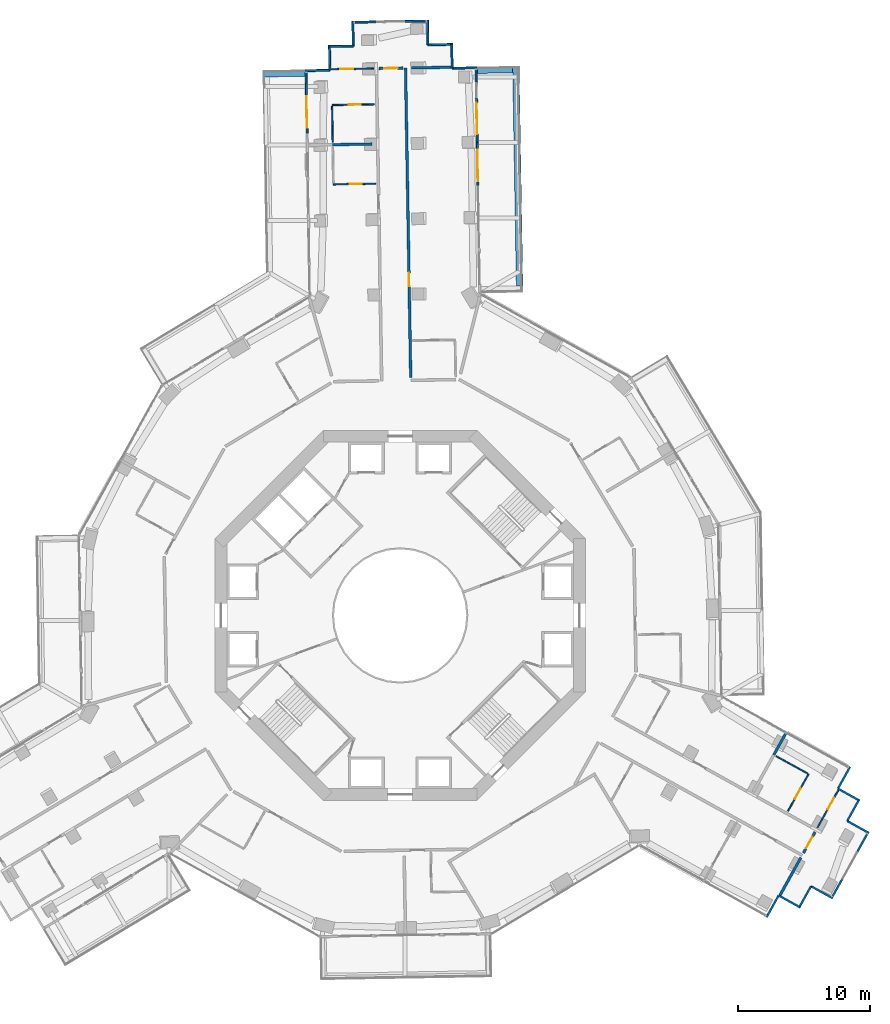
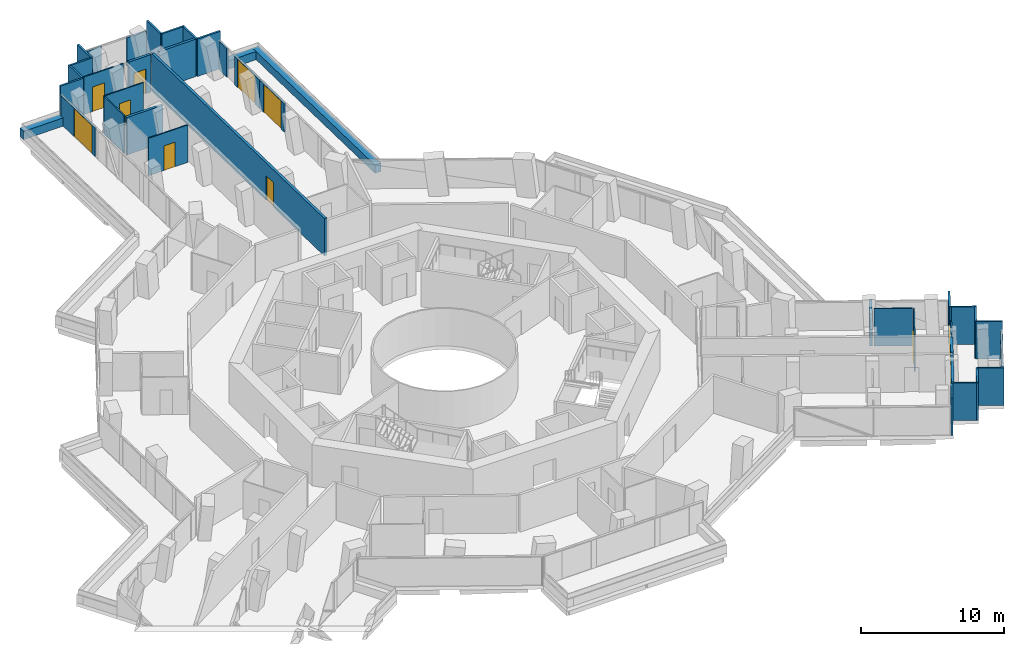
# One storey, part 22 of 25: 41 walls, 11 doors, 11 openings.
"""IFC4 building model written with IfcOpenShell, lengths in metres."""

from ifc_helpers import new_model, si_unit, direction, frame, frame_2d, origin, place, context, subcontext, project, spatial, rectangle, extrude, material, layer, layer_set, type_object, element, fill, save


model = new_model("IFC4")

# Units and contexts
model_context = context("Model", 3, precision=1e-05, world=origin(), true_north=direction((0.0, 1.0)))
body_context = subcontext(model_context, "Body", "Model", "MODEL_VIEW")
ifc_project = project(units=[si_unit("LENGTHUNIT", "METRE"), si_unit("AREAUNIT", "SQUARE_METRE"), si_unit("VOLUMEUNIT", "CUBIC_METRE"), si_unit("PLANEANGLEUNIT", "RADIAN"), si_unit("MASSUNIT", "GRAM", prefix="KILO")], contexts=[model_context])

# Site, building, storey
site_placement = place(None, origin())
site = spatial("IfcSite", under=ifc_project, at=site_placement, CompositionType="ELEMENT")
building_placement = place(site_placement, origin())
building = spatial("IfcBuilding", under=site, at=building_placement, Name="Verdalira Terraces Hotel", CompositionType="ELEMENT")
storey_placement = place(building_placement, frame((0.0, 0.0, 39.0)))
storey = spatial("IfcBuildingStorey", under=building, at=storey_placement, Name="L07", CompositionType="ELEMENT", Elevation=39.0)

# Walls
ifc_material_1 = material(Name="Concrete C40", Category="concrete")
ifc_layer_1 = layer(ifc_material_1, 0.5)
ifc_layer_set_1 = layer_set([ifc_layer_1], Name="Balcony planter trough with tree")
wall_type_1 = type_object("IfcWallType", Name="Balcony planter trough with tree", PredefinedType="SOLIDWALL", material=ifc_layer_set_1)
wall_1_placement = place(storey_placement, frame((-7.189209, 41.010498, 0.0), z_axis=(0.0, 0.0, 1.0), x_axis=(-0.999860312, -0.016713946, 0.0)))
element("IfcWall", 1, at=wall_1_placement, inside=storey, type_object=wall_type_1, Name="Balcony planter", PredefinedType="SOLIDWALL", context=body_context, shape_type="SweptSolid", body=[
    extrude(rectangle(XDim=3.198975, YDim=0.5, at=frame_2d((1.599609, 0.0))), origin(), (0.0, 0.0, 1.0), 0.699951),
])
wall_2_placement = place(storey_placement, frame((9.033936, 24.913086, 0.0), z_axis=(0.0, 0.0, 1.0), x_axis=(-0.016763742, 0.999859479, 0.0)))
element("IfcWall", 2, at=wall_2_placement, inside=storey, type_object=wall_type_1, Name="Balcony planter", PredefinedType="SOLIDWALL", context=body_context, shape_type="SweptSolid", body=[
    extrude(rectangle(XDim=16.617188, YDim=0.5, at=frame_2d((8.308594, 0.0))), origin(), (0.0, 0.0, 1.0), 0.699951),
])
wall_3_placement = place(storey_placement, frame((8.509766, 41.273682, 0.0), z_axis=(0.0, 0.0, 1.0), x_axis=(-0.999859982, -0.01673368, 0.0)))
element("IfcWall", 3, at=wall_3_placement, inside=storey, type_object=wall_type_1, Name="Balcony planter", PredefinedType="SOLIDWALL", context=body_context, shape_type="SweptSolid", body=[
    extrude(rectangle(XDim=2.699219, YDim=0.5, at=frame_2d((1.349609, 0.0))), origin(), (0.0, 0.0, 1.0), 0.699951),
])
ifc_material_2 = material(Name="Moisture-resistant gypsum board partition")
ifc_layer_2 = layer(ifc_material_2, 0.10009765625)
ifc_layer_set_2 = layer_set([ifc_layer_2], Name="Bathroom partition 100 mm")
wall_type_2 = type_object("IfcWallType", Name="Bathroom partition 100 mm", PredefinedType="PARTITIONING", material=ifc_layer_set_2)
wall_4_placement = place(storey_placement, frame((-5.145508, 38.48877, 0.0), z_axis=(0.0, 0.0, 1.0), x_axis=(0.016729141, -0.999860058, 0.0)))
element("IfcWall", 4, at=wall_4_placement, inside=storey, type_object=wall_type_2, Name="Bathroom partition", PredefinedType="PARTITIONING", context=body_context, shape_type="SweptSolid", body=[
    extrude(rectangle(XDim=2.699951, YDim=0.100098, at=frame_2d((1.350098, 0.0))), origin(), (0.0, 0.0, 1.0), 3.189941),
])

# Wall, opening, door
wall_5_placement = place(storey_placement, frame((-1.99292, 41.347656, 0.0), z_axis=(0.0, 0.0, 1.0), x_axis=(-0.999859865, -0.016740652, 0.0)))
wall_5 = element("IfcWall", 5, at=wall_5_placement, inside=storey, type_object=wall_type_2, Name="Bathroom partition", PredefinedType="PARTITIONING", context=body_context, shape_type="SweptSolid", body=[
    extrude(rectangle(XDim=3.252197, YDim=0.100098, at=frame_2d((1.625977, 0.0))), origin(), (0.0, 0.0, 1.0), 3.189941),
])
opening_1_placement = place(wall_5_placement, frame((1.550049, 0.0, 0.0)))
opening_1 = element("IfcOpeningElement", 6, at=opening_1_placement, cuts=wall_5, Name="Opening L07-104", PredefinedType="OPENING", context=body_context, shape_type="SweptSolid", body=[
    extrude(rectangle(XDim=1.0, YDim=2.100098, at=frame_2d((0.5, 1.050049))), frame((0.0, 0.060059, 0.0), z_axis=(0.0, -1.0, 0.0), x_axis=(1.0, 0.0, 0.0)), (0.0, 0.0, 1.0), 0.120117),
])
ifc_material_3 = material(Name="Timber door", Category="wood")
door_type_1 = type_object("IfcDoorType", Name="Suite internal door 1000 x 2100", OperationType="NOTDEFINED", PredefinedType="DOOR", material=ifc_material_3)
door_1_placement = place(opening_1_placement, origin())
door_1 = element("IfcDoor", 7, at=door_1_placement, inside=storey, type_object=door_type_1, Name="Suite internal door 0702", OperationType="SINGLE_SWING_LEFT", OverallHeight=2.10009765625, OverallWidth=1.0, PredefinedType="DOOR", context=body_context, shape_type="SweptSolid", body=[
    extrude(rectangle(XDim=1.0, YDim=2.100098, at=frame_2d((0.5, 1.050049))), frame((0.0, 0.024902, 0.0), z_axis=(0.0, -1.0, 0.0), x_axis=(1.0, 0.0, 0.0)), (0.0, 0.0, 1.0), 0.050049),
])
fill(opening_1, door_1)

wall_6_placement = place(storey_placement, frame((-1.947754, 38.642334, 0.0), z_axis=(0.0, 0.0, 1.0), x_axis=(-0.999860397, -0.016708846, 0.0)))
wall_6 = element("IfcWall", 8, at=wall_6_placement, inside=storey, type_object=wall_type_2, Name="Bathroom partition", PredefinedType="PARTITIONING", context=body_context, shape_type="SweptSolid", body=[
    extrude(rectangle(XDim=3.199951, YDim=0.100098, at=frame_2d((1.600098, 0.0))), origin(), (0.0, 0.0, 1.0), 3.189941),
])
opening_2_placement = place(wall_6_placement, frame((1.050049, 0.0, 0.0)))
opening_2 = element("IfcOpeningElement", 9, at=opening_2_placement, cuts=wall_6, Name="Opening L07-105", PredefinedType="OPENING", context=body_context, shape_type="SweptSolid", body=[
    extrude(rectangle(XDim=0.899902, YDim=2.100098, at=frame_2d((0.449951, 1.050049))), frame((0.0, 0.060059, 0.0), z_axis=(0.0, -1.0, 0.0), x_axis=(1.0, 0.0, 0.0)), (0.0, 0.0, 1.0), 0.120117),
])
ifc_material_4 = material(Name="Timber door", Category="wood")
door_type_2 = type_object("IfcDoorType", Name="Bathroom door 900 x 2100", OperationType="NOTDEFINED", PredefinedType="DOOR", material=ifc_material_4)
door_2_placement = place(opening_2_placement, origin())
door_2 = element("IfcDoor", 10, at=door_2_placement, inside=storey, type_object=door_type_2, Name="Bathroom door 0702", OperationType="SINGLE_SWING_RIGHT", OverallHeight=2.10009765625, OverallWidth=0.89990234375, PredefinedType="DOOR", context=body_context, shape_type="SweptSolid", body=[
    extrude(rectangle(XDim=0.899902, YDim=2.100098, at=frame_2d((0.449951, 1.050049))), frame((0.0, 0.024902, 0.0), z_axis=(0.0, -1.0, 0.0), x_axis=(1.0, 0.0, 0.0)), (0.0, 0.0, 1.0), 0.050049),
])
fill(opening_2, door_2)

wall_7_placement = place(storey_placement, frame((-5.046631, 32.5896, 0.0), z_axis=(0.0, 0.0, 1.0), x_axis=(0.99985912, 0.016785121, 0.0)))
wall_7 = element("IfcWall", 11, at=wall_7_placement, inside=storey, type_object=wall_type_2, Name="Bathroom partition", PredefinedType="PARTITIONING", context=body_context, shape_type="SweptSolid", body=[
    extrude(rectangle(XDim=3.199951, YDim=0.100098, at=frame_2d((1.600098, 0.0))), origin(), (0.0, 0.0, 1.0), 3.189941),
])
opening_3_placement = place(wall_7_placement, frame((1.25, 0.0, 0.0)))
opening_3 = element("IfcOpeningElement", 12, at=opening_3_placement, cuts=wall_7, Name="Opening L07-107", PredefinedType="OPENING", context=body_context, shape_type="SweptSolid", body=[
    extrude(rectangle(XDim=0.899902, YDim=2.100098, at=frame_2d((0.449951, 1.050049))), frame((0.0, 0.060059, 0.0), z_axis=(0.0, -1.0, 0.0), x_axis=(1.0, 0.0, 0.0)), (0.0, 0.0, 1.0), 0.120117),
])
door_3_placement = place(opening_3_placement, origin())
door_3 = element("IfcDoor", 13, at=door_3_placement, inside=storey, type_object=door_type_2, Name="Bathroom door 0703", OperationType="SINGLE_SWING_LEFT", OverallHeight=2.10009765625, OverallWidth=0.89990234375, PredefinedType="DOOR", context=body_context, shape_type="SweptSolid", body=[
    extrude(rectangle(XDim=0.899902, YDim=2.100098, at=frame_2d((0.449951, 1.050049))), frame((0.0, 0.024902, 0.0), z_axis=(0.0, -1.0, 0.0), x_axis=(1.0, 0.0, 0.0)), (0.0, 0.0, 1.0), 0.050049),
])
fill(opening_3, door_3)

# Wall
wall_8_placement = place(storey_placement, frame((30.788086, -11.947021, 0.0), z_axis=(0.0, 0.0, 1.0), x_axis=(-0.874297992, 0.485389556, 0.0)))
element("IfcWall", 14, at=wall_8_placement, inside=storey, type_object=wall_type_2, Name="Bathroom partition", PredefinedType="PARTITIONING", context=body_context, shape_type="SweptSolid", body=[
    extrude(rectangle(XDim=2.699951, YDim=0.100098, at=frame_2d((1.350098, 0.0))), origin(), (0.0, 0.0, 1.0), 3.189941),
])

# Wall, opening, door
wall_9_placement = place(storey_placement, frame((29.322266, -14.793457, 0.0), z_axis=(0.0, 0.0, 1.0), x_axis=(0.485370847, 0.874308379, 0.0)))
wall_9 = element("IfcWall", 15, at=wall_9_placement, inside=storey, type_object=wall_type_2, Name="Bathroom partition", PredefinedType="PARTITIONING", context=body_context, shape_type="SweptSolid", body=[
    extrude(rectangle(XDim=3.200195, YDim=0.100098, at=frame_2d((1.600098, 0.0))), origin(), (0.0, 0.0, 1.0), 3.189941),
])
opening_4_placement = place(wall_9_placement, frame((1.050049, 0.0, 0.0)))
opening_4 = element("IfcOpeningElement", 16, at=opening_4_placement, cuts=wall_9, Name="Opening L07-126", PredefinedType="OPENING", context=body_context, shape_type="SweptSolid", body=[
    extrude(rectangle(XDim=0.899902, YDim=2.100098, at=frame_2d((0.449951, 1.050049))), frame((0.0, 0.060059, 0.0), z_axis=(0.0, -1.0, 0.0), x_axis=(1.0, 0.0, 0.0)), (0.0, 0.0, 1.0), 0.120117),
])
door_4_placement = place(opening_4_placement, origin())
door_4 = element("IfcDoor", 17, at=door_4_placement, inside=storey, type_object=door_type_2, Name="Bathroom door 0712", OperationType="SINGLE_SWING_RIGHT", OverallHeight=2.10009765625, OverallWidth=0.89990234375, PredefinedType="DOOR", context=body_context, shape_type="SweptSolid", body=[
    extrude(rectangle(XDim=0.899902, YDim=2.100098, at=frame_2d((0.449951, 1.050049))), frame((0.0, 0.024902, 0.0), z_axis=(0.0, -1.0, 0.0), x_axis=(1.0, 0.0, 0.0)), (0.0, 0.0, 1.0), 0.050049),
])
fill(opening_4, door_4)

wall_10_placement = place(storey_placement, frame((31.559082, -16.0354, 0.0), z_axis=(0.0, 0.0, 1.0), x_axis=(0.48541345, 0.874284726, 0.0)))
wall_10 = element("IfcWall", 18, at=wall_10_placement, inside=storey, type_object=wall_type_2, Name="Bathroom partition", PredefinedType="PARTITIONING", context=body_context, shape_type="SweptSolid", body=[
    extrude(rectangle(XDim=3.252197, YDim=0.100098, at=frame_2d((1.625977, 0.0))), origin(), (0.0, 0.0, 1.0), 3.189941),
])
opening_5_placement = place(wall_10_placement, frame((1.550049, 0.0, 0.0)))
opening_5 = element("IfcOpeningElement", 19, at=opening_5_placement, cuts=wall_10, Name="Opening L07-125", PredefinedType="OPENING", context=body_context, shape_type="SweptSolid", body=[
    extrude(rectangle(XDim=1.0, YDim=2.100098, at=frame_2d((0.5, 1.050049))), frame((0.0, 0.060059, 0.0), z_axis=(0.0, -1.0, 0.0), x_axis=(1.0, 0.0, 0.0)), (0.0, 0.0, 1.0), 0.120117),
])
door_5_placement = place(opening_5_placement, origin())
door_5 = element("IfcDoor", 20, at=door_5_placement, inside=storey, type_object=door_type_1, Name="Suite internal door 0712", OperationType="SINGLE_SWING_LEFT", OverallHeight=2.10009765625, OverallWidth=1.0, PredefinedType="DOOR", context=body_context, shape_type="SweptSolid", body=[
    extrude(rectangle(XDim=1.0, YDim=2.100098, at=frame_2d((0.5, 1.050049))), frame((0.0, 0.024902, 0.0), z_axis=(0.0, -1.0, 0.0), x_axis=(1.0, 0.0, 0.0)), (0.0, 0.0, 1.0), 0.050049),
])
fill(opening_5, door_5)

# Walls
ifc_material_5 = material(Name="Fire-rated gypsum board wall")
ifc_layer_3 = layer(ifc_material_5, 0.199951171875)
ifc_layer_set_3 = layer_set([ifc_layer_3], Name="Demising wall 200 mm")
wall_type_3 = type_object("IfcWallType", Name="Demising wall 200 mm", PredefinedType="SOLIDWALL", material=ifc_layer_set_3)
wall_11_placement = place(storey_placement, frame((-2.144531, 35.638672, 0.0), z_axis=(0.0, 0.0, 1.0), x_axis=(-0.999859135, -0.016784206, 0.0)))
element("IfcWall", 21, at=wall_11_placement, inside=storey, type_object=wall_type_3, Name="Demising wall", PredefinedType="SOLIDWALL", context=body_context, shape_type="SweptSolid", body=[
    extrude(rectangle(XDim=2.952881, YDim=0.199951, at=frame_2d((1.476562, 0.0))), origin(), (0.0, 0.0, 1.0), 3.189941),
])
wall_12_placement = place(storey_placement, frame((0.85376, 41.395508, 0.0), z_axis=(0.0, 0.0, 1.0), x_axis=(0.999859919, 0.016737457, 0.0)))
element("IfcWall", 22, at=wall_12_placement, inside=storey, type_object=wall_type_3, Name="Demising wall", PredefinedType="SOLIDWALL", context=body_context, shape_type="SweptSolid", body=[
    extrude(rectangle(XDim=3.004883, YDim=0.199951, at=frame_2d((1.502441, 0.0))), origin(), (0.0, 0.0, 1.0), 3.189941),
])
wall_13_placement = place(storey_placement, frame((30.296875, -18.30835, 0.0), z_axis=(0.0, 0.0, 1.0), x_axis=(-0.485406932, -0.874288345, 0.0)))
element("IfcWall", 23, at=wall_13_placement, inside=storey, type_object=wall_type_3, Name="Demising wall", PredefinedType="SOLIDWALL", context=body_context, shape_type="SweptSolid", body=[
    extrude(rectangle(XDim=3.250244, YDim=0.199951, at=frame_2d((1.625, 0.0))), origin(), (0.0, 0.0, 1.0), 3.189941),
])
ifc_material_6 = material(Name="Fire-rated gypsum board wall")
ifc_layer_4 = layer(ifc_material_6, 0.199951171875)
ifc_layer_set_4 = layer_set([ifc_layer_4], Name="Demising wall 200 mm to beam soffit")
wall_type_4 = type_object("IfcWallType", Name="Demising wall 200 mm to beam soffit", PredefinedType="SOLIDWALL", material=ifc_layer_set_4)
wall_14_placement = place(storey_placement, frame((28.252686, -10.539307, 0.0), z_axis=(0.0, 0.0, 1.0), x_axis=(0.485441205, 0.874269316, 0.0)))
element("IfcWall", 24, at=wall_14_placement, inside=storey, type_object=wall_type_4, Name="Demising wall", PredefinedType="SOLIDWALL", context=body_context, shape_type="SweptSolid", body=[
    extrude(rectangle(XDim=1.849854, YDim=0.199951, at=frame_2d((0.924805, 0.0))), origin(), (0.0, 0.0, 1.0), 2.689941),
])

# Wall, opening, door
ifc_material_7 = material(Name="Fire-rated gypsum board wall")
ifc_layer_5 = layer(ifc_material_7, 0.199951171875)
ifc_layer_set_5 = layer_set([ifc_layer_5], Name="Guest corridor wall 200 mm")
wall_type_5 = type_object("IfcWallType", Name="Guest corridor wall 200 mm", PredefinedType="SOLIDWALL", material=ifc_layer_set_5)
wall_15_placement = place(storey_placement, frame((-1.595215, 41.354248, 0.0), z_axis=(0.0, 0.0, 1.0), x_axis=(0.999858912, 0.016797521, 0.0)))
wall_15 = element("IfcWall", 25, at=wall_15_placement, inside=storey, type_object=wall_type_5, Name="Guest corridor wall", PredefinedType="SOLIDWALL", context=body_context, shape_type="SweptSolid", body=[
    extrude(rectangle(XDim=1.802246, YDim=0.199951, at=frame_2d((0.901123, 0.0))), origin(), (0.0, 0.0, 1.0), 3.189941),
])
opening_6_placement = place(wall_15_placement, frame((0.399902, 0.0, 0.0)))
opening_6 = element("IfcOpeningElement", 26, at=opening_6_placement, cuts=wall_15, Name="Opening L07-103", PredefinedType="OPENING", context=body_context, shape_type="SweptSolid", body=[
    extrude(rectangle(XDim=1.0, YDim=2.100098, at=frame_2d((0.5, 1.050049))), frame((0.0, 0.109863, 0.0), z_axis=(0.0, -1.0, 0.0), x_axis=(1.0, 0.0, 0.0)), (0.0, 0.0, 1.0), 0.219971),
])
ifc_material_8 = material(Name="Timber fire door", Category="wood")
door_type_3 = type_object("IfcDoorType", Name="Guest entry door 1000 x 2100", OperationType="NOTDEFINED", PredefinedType="DOOR", material=ifc_material_8)
door_6_placement = place(opening_6_placement, origin())
door_6 = element("IfcDoor", 27, at=door_6_placement, inside=storey, type_object=door_type_3, Name="Guest entry door 0702", OperationType="SINGLE_SWING_LEFT", OverallHeight=2.10009765625, OverallWidth=1.0, PredefinedType="DOOR", context=body_context, shape_type="SweptSolid", body=[
    extrude(rectangle(XDim=1.0, YDim=2.100098, at=frame_2d((0.5, 1.050049))), frame((0.0, 0.024902, 0.0), z_axis=(0.0, -1.0, 0.0), x_axis=(1.0, 0.0, 0.0)), (0.0, 0.0, 1.0), 0.050049),
])
fill(opening_6, door_6)

wall_16_placement = place(storey_placement, frame((0.406494, 41.387695, 0.0), z_axis=(0.0, 0.0, 1.0), x_axis=(0.016764935, -0.999859459, 0.0)))
wall_16 = element("IfcWall", 28, at=wall_16_placement, inside=storey, type_object=wall_type_5, Name="Guest corridor wall", PredefinedType="SOLIDWALL", context=body_context, shape_type="SweptSolid", body=[
    extrude(rectangle(XDim=23.416504, YDim=0.199951, at=frame_2d((11.708252, 0.0))), origin(), (0.0, 0.0, 1.0), 3.189941),
])
opening_7_placement = place(wall_16_placement, frame((15.5, 0.0, 0.0)))
opening_7 = element("IfcOpeningElement", 29, at=opening_7_placement, cuts=wall_16, Name="Opening L07-101", PredefinedType="OPENING", context=body_context, shape_type="SweptSolid", body=[
    extrude(rectangle(XDim=1.0, YDim=2.100098, at=frame_2d((0.5, 1.050049))), frame((0.0, 0.109863, 0.0), z_axis=(0.0, -1.0, 0.0), x_axis=(1.0, 0.0, 0.0)), (0.0, 0.0, 1.0), 0.219971),
])
door_7_placement = place(opening_7_placement, origin())
door_7 = element("IfcDoor", 30, at=door_7_placement, inside=storey, type_object=door_type_3, Name="Guest entry door 0701", OperationType="SINGLE_SWING_LEFT", OverallHeight=2.10009765625, OverallWidth=1.0, PredefinedType="DOOR", context=body_context, shape_type="SweptSolid", body=[
    extrude(rectangle(XDim=1.0, YDim=2.100098, at=frame_2d((0.5, 1.050049))), frame((0.0, 0.024902, 0.0), z_axis=(0.0, -1.0, 0.0), x_axis=(1.0, 0.0, 0.0)), (0.0, 0.0, 1.0), 0.050049),
])
fill(opening_7, door_7)

wall_17_placement = place(storey_placement, frame((31.365723, -16.383301, 0.0), z_axis=(0.0, 0.0, 1.0), x_axis=(-0.485447577, -0.874265778, 0.0)))
wall_17 = element("IfcWall", 31, at=wall_17_placement, inside=storey, type_object=wall_type_5, Name="Guest corridor wall", PredefinedType="SOLIDWALL", context=body_context, shape_type="SweptSolid", body=[
    extrude(rectangle(XDim=1.803955, YDim=0.199951, at=frame_2d((0.901855, 0.0))), origin(), (0.0, 0.0, 1.0), 3.189941),
])
opening_8_placement = place(wall_17_placement, frame((0.399902, 0.0, 0.0)))
opening_8 = element("IfcOpeningElement", 32, at=opening_8_placement, cuts=wall_17, Name="Opening L07-124", PredefinedType="OPENING", context=body_context, shape_type="SweptSolid", body=[
    extrude(rectangle(XDim=1.0, YDim=2.100098, at=frame_2d((0.5, 1.050049))), frame((0.0, 0.109863, 0.0), z_axis=(0.0, -1.0, 0.0), x_axis=(1.0, 0.0, 0.0)), (0.0, 0.0, 1.0), 0.219971),
])
door_8_placement = place(opening_8_placement, origin())
door_8 = element("IfcDoor", 33, at=door_8_placement, inside=storey, type_object=door_type_3, Name="Guest entry door 0712", OperationType="SINGLE_SWING_LEFT", OverallHeight=2.10009765625, OverallWidth=1.0, PredefinedType="DOOR", context=body_context, shape_type="SweptSolid", body=[
    extrude(rectangle(XDim=1.0, YDim=2.100098, at=frame_2d((0.5, 1.050049))), frame((0.0, 0.024902, 0.0), z_axis=(0.0, -1.0, 0.0), x_axis=(1.0, 0.0, 0.0)), (0.0, 0.0, 1.0), 0.050049),
])
fill(opening_8, door_8)

# Walls
ifc_material_9 = material(Name="Terracotta cladding", Category="masonry")
ifc_layer_6 = layer(ifc_material_9, 0.14990234375)
ifc_layer_set_6 = layer_set([ifc_layer_6], Name="Terracotta clad wall 150")
wall_type_6 = type_object("IfcWallType", Name="Terracotta clad wall 150", PredefinedType="SOLIDWALL", material=ifc_layer_set_6)
wall_18_placement = place(storey_placement, frame((5.807129, 41.40332, 0.0), z_axis=(0.0, 0.0, 1.0), x_axis=(-0.999861104, -0.016666522, 0.0)))
element("IfcWall", 34, at=wall_18_placement, inside=storey, type_object=wall_type_6, Name="Terracotta cladding wall", PredefinedType="SOLIDWALL", context=body_context, shape_type="SweptSolid", body=[
    extrude(rectangle(XDim=1.875, YDim=0.149902, at=frame_2d((0.9375, 0.0))), origin(), (0.0, 0.0, 1.0), 3.189941),
])
wall_19_placement = place(storey_placement, frame((3.932373, 41.37207, 0.0), z_axis=(0.0, 0.0, 1.0), x_axis=(-0.016684694, 0.999860801, 0.0)))
element("IfcWall", 35, at=wall_19_placement, inside=storey, type_object=wall_type_6, Name="Terracotta cladding wall", PredefinedType="SOLIDWALL", context=body_context, shape_type="SweptSolid", body=[
    extrude(rectangle(XDim=1.799805, YDim=0.149902, at=frame_2d((0.899902, 0.0))), origin(), (0.0, 0.0, 1.0), 3.189941),
])
for number, where, z_axis, x_axis, name in (
    (36, (3.977295, 43.172852, 0.0), (0.0, 0.0, 1.0), (-0.999861104, -0.016666522, 0.0), "Terracotta cladding wall"),
    (37, (2.102539, 43.141602, 0.0), (0.0, 0.0, 1.0), (-0.016796692, 0.999858926, 0.0), "Terracotta cladding wall"),
    (38, (-3.578125, 44.921631, 0.0), (0.0, 0.0, 1.0), (0.016796692, -0.999858926, 0.0), "Terracotta cladding wall"),
):
    element("IfcWall", number, at=place(storey_placement, frame(where, z_axis=z_axis, x_axis=x_axis)), inside=storey, type_object=wall_type_6, Name=name, PredefinedType="SOLIDWALL", context=body_context, shape_type="SweptSolid", body=[
        extrude(rectangle(XDim=1.875, YDim=0.149902, at=frame_2d((0.9375, 0.0))), origin(), (0.0, 0.0, 1.0), 3.189941),
    ])
wall_20_placement = place(storey_placement, frame((-3.546631, 43.046875, 0.0), z_axis=(0.0, 0.0, 1.0), x_axis=(-0.999860839, -0.016682431, 0.0)))
element("IfcWall", 39, at=wall_20_placement, inside=storey, type_object=wall_type_6, Name="Terracotta cladding wall", PredefinedType="SOLIDWALL", context=body_context, shape_type="SweptSolid", body=[
    extrude(rectangle(XDim=1.800049, YDim=0.149902, at=frame_2d((0.899902, 0.0))), origin(), (0.0, 0.0, 1.0), 3.189941),
])
for number, where, z_axis, x_axis, name in (
    (40, (-5.347656, 43.091797, 0.0), (0.0, 0.0, 1.0), (0.016666522, -0.999861104, 0.0), "Terracotta cladding wall"),
    (41, (-5.316406, 41.217041, 0.0), (0.0, 0.0, 1.0), (-0.999858926, -0.016796692, 0.0), "Terracotta cladding wall"),
    (42, (27.707031, -22.818359, 0.0), (0.0, 0.0, 1.0), (0.485388651, 0.874298495, 0.0), "Terracotta cladding wall"),
):
    element("IfcWall", number, at=place(storey_placement, frame(where, z_axis=z_axis, x_axis=x_axis)), inside=storey, type_object=wall_type_6, Name=name, PredefinedType="SOLIDWALL", context=body_context, shape_type="SweptSolid", body=[
        extrude(rectangle(XDim=1.875, YDim=0.149902, at=frame_2d((0.9375, 0.0))), origin(), (0.0, 0.0, 1.0), 3.189941),
    ])
wall_21_placement = place(storey_placement, frame((28.617188, -21.178955, 0.0), z_axis=(0.0, 0.0, 1.0), x_axis=(0.874278805, -0.485424115, 0.0)))
element("IfcWall", 43, at=wall_21_placement, inside=storey, type_object=wall_type_6, Name="Terracotta cladding wall", PredefinedType="SOLIDWALL", context=body_context, shape_type="SweptSolid", body=[
    extrude(rectangle(XDim=1.800049, YDim=0.149902, at=frame_2d((0.899902, 0.0))), origin(), (0.0, 0.0, 1.0), 3.189941),
])
for number, where, z_axis, x_axis, name in (
    (44, (30.154541, -22.118408, 0.0), (0.0, 0.0, 1.0), (0.485388651, 0.874298495, 0.0), "Terracotta cladding wall"),
    (45, (31.064697, -20.479004, 0.0), (0.0, 0.0, 1.0), (0.874298495, -0.485388651, 0.0), "Terracotta cladding wall"),
    (46, (35.446533, -16.449463, 0.0), (0.0, 0.0, 1.0), (-0.874267814, 0.48544391, 0.0), "Terracotta cladding wall"),
):
    element("IfcWall", number, at=place(storey_placement, frame(where, z_axis=z_axis, x_axis=x_axis)), inside=storey, type_object=wall_type_6, Name=name, PredefinedType="SOLIDWALL", context=body_context, shape_type="SweptSolid", body=[
        extrude(rectangle(XDim=1.875, YDim=0.149902, at=frame_2d((0.9375, 0.0))), origin(), (0.0, 0.0, 1.0), 3.189941),
    ])
wall_22_placement = place(storey_placement, frame((33.807373, -15.539307, 0.0), z_axis=(0.0, 0.0, 1.0), x_axis=(0.485424115, 0.874278805, 0.0)))
element("IfcWall", 47, at=wall_22_placement, inside=storey, type_object=wall_type_6, Name="Terracotta cladding wall", PredefinedType="SOLIDWALL", context=body_context, shape_type="SweptSolid", body=[
    extrude(rectangle(XDim=1.800049, YDim=0.149902, at=frame_2d((0.899902, 0.0))), origin(), (0.0, 0.0, 1.0), 3.189941),
])
for number, where, z_axis, x_axis, name in (
    (48, (34.746582, -14.001953, 0.0), (0.0, 0.0, 1.0), (-0.874267814, 0.48544391, 0.0), "Terracotta cladding wall"),
    (49, (33.107422, -13.091797, 0.0), (0.0, 0.0, 1.0), (0.48544391, 0.874267814, 0.0), "Terracotta cladding wall"),
):
    element("IfcWall", number, at=place(storey_placement, frame(where, z_axis=z_axis, x_axis=x_axis)), inside=storey, type_object=wall_type_6, Name=name, PredefinedType="SOLIDWALL", context=body_context, shape_type="SweptSolid", body=[
        extrude(rectangle(XDim=1.875, YDim=0.149902, at=frame_2d((0.9375, 0.0))), origin(), (0.0, 0.0, 1.0), 3.189941),
    ])
ifc_material_10 = material(Name="Terracotta cladding", Category="masonry")
ifc_layer_7 = layer(ifc_material_10, 0.14990234375)
ifc_layer_set_7 = layer_set([ifc_layer_7], Name="Terracotta column pier 150")
wall_type_7 = type_object("IfcWallType", Name="Terracotta column pier 150", PredefinedType="SOLIDWALL", material=ifc_layer_set_7)
wall_23_placement = place(storey_placement, frame((5.751953, 40.217285, 0.0), z_axis=(0.0, 0.0, 1.0), x_axis=(-0.016668264, 0.999861075, 0.0)))
element("IfcWall", 50, at=wall_23_placement, inside=storey, type_object=wall_type_7, Name="Terracotta column pier", PredefinedType="SOLIDWALL", context=body_context, shape_type="SweptSolid", body=[
    extrude(rectangle(XDim=1.040039, YDim=0.149902, at=frame_2d((0.52002, 0.0))), origin(), (0.0, 0.0, 1.0), 2.425049),
])
wall_24_placement = place(storey_placement, frame((1.917236, 44.938721, 0.0), z_axis=(0.0, 0.0, 1.0), x_axis=(-0.999858408, -0.016827482, 0.0)))
element("IfcWall", 51, at=wall_24_placement, inside=storey, type_object=wall_type_7, Name="Terracotta column pier", PredefinedType="SOLIDWALL", context=body_context, shape_type="SweptSolid", body=[
    extrude(rectangle(XDim=1.595947, YDim=0.149902, at=frame_2d((0.797852, 0.0))), origin(), (0.0, 0.0, 1.0), 2.425049),
])
wall_25_placement = place(storey_placement, frame((-1.742188, 44.877441, 0.0), z_axis=(0.0, 0.0, 1.0), x_axis=(-0.999857893, -0.016858069, 0.0)))
element("IfcWall", 52, at=wall_25_placement, inside=storey, type_object=wall_type_7, Name="Terracotta column pier", PredefinedType="SOLIDWALL", context=body_context, shape_type="SweptSolid", body=[
    extrude(rectangle(XDim=1.679932, YDim=0.149902, at=frame_2d((0.839844, 0.0))), origin(), (0.0, 0.0, 1.0), 2.425049),
])
wall_26_placement = place(storey_placement, frame((32.713623, -21.217285, 0.0), z_axis=(0.0, 0.0, 1.0), x_axis=(0.48542244, 0.874279735, 0.0)))
element("IfcWall", 53, at=wall_26_placement, inside=storey, type_object=wall_type_7, Name="Terracotta column pier", PredefinedType="SOLIDWALL", context=body_context, shape_type="SweptSolid", body=[
    extrude(rectangle(XDim=1.504395, YDim=0.149902, at=frame_2d((0.752197, 0.0))), origin(), (0.0, 0.0, 1.0), 2.425049),
])
wall_27_placement = place(storey_placement, frame((34.538818, -17.929932, 0.0), z_axis=(0.0, 0.0, 1.0), x_axis=(0.485485493, 0.874244723, 0.0)))
element("IfcWall", 54, at=wall_27_placement, inside=storey, type_object=wall_type_7, Name="Terracotta column pier", PredefinedType="SOLIDWALL", context=body_context, shape_type="SweptSolid", body=[
    extrude(rectangle(XDim=1.580078, YDim=0.149902, at=frame_2d((0.790039, 0.0))), origin(), (0.0, 0.0, 1.0), 2.425049),
])

# Wall, opening, door
ifc_material_11 = material(Name="Terracotta cladding", Category="masonry")
ifc_layer_8 = layer(ifc_material_11, 0.14990234375)
ifc_layer_set_8 = layer_set([ifc_layer_8], Name="Terracotta door pier 150")
wall_type_8 = type_object("IfcWallType", Name="Terracotta door pier 150", PredefinedType="SOLIDWALL", material=ifc_layer_set_8)
wall_28_placement = place(storey_placement, frame((5.882568, 32.422852, 0.0), z_axis=(0.0, 0.0, 1.0), x_axis=(-0.016762715, 0.999859496, 0.0)))
wall_28 = element("IfcWall", 55, at=wall_28_placement, inside=storey, type_object=wall_type_8, Name="Terracotta door pier", PredefinedType="SOLIDWALL", context=body_context, shape_type="SweptSolid", body=[
    extrude(rectangle(XDim=3.349854, YDim=0.149902, at=frame_2d((1.674805, 0.0))), origin(), (0.0, 0.0, 1.0), 2.425049),
])
opening_9_placement = place(wall_28_placement, frame((0.399902, 0.0, 0.0)))
opening_9 = element("IfcOpeningElement", 56, at=opening_9_placement, cuts=wall_28, Name="Opening L07-B02", PredefinedType="OPENING", context=body_context, shape_type="SweptSolid", body=[
    extrude(rectangle(XDim=2.399902, YDim=2.399902, at=frame_2d((1.199951, 1.199951))), frame((0.0, 0.084961, 0.0), z_axis=(0.0, -1.0, 0.0), x_axis=(1.0, 0.0, 0.0)), (0.0, 0.0, 1.0), 0.169922),
])
ifc_material_12 = material(Name="Clear glass", Category="glass")
door_type_4 = type_object("IfcDoorType", Name="Balcony sliding door 2400x2400", OperationType="NOTDEFINED", PredefinedType="DOOR", material=ifc_material_12)
door_9_placement = place(opening_9_placement, origin())
door_9 = element("IfcDoor", 57, at=door_9_placement, inside=storey, type_object=door_type_4, Name="Balcony sliding door", OperationType="SLIDING_TO_RIGHT", OverallHeight=2.39990234375, OverallWidth=2.39990234375, PredefinedType="DOOR", context=body_context, shape_type="SweptSolid", body=[
    extrude(rectangle(XDim=2.399902, YDim=2.399902, at=frame_2d((1.199951, 1.199951))), frame((0.0, 0.024902, 0.0), z_axis=(0.0, -1.0, 0.0), x_axis=(1.0, 0.0, 0.0)), (0.0, 0.0, 1.0), 0.050049),
])
fill(opening_9, door_9)

wall_29_placement = place(storey_placement, frame((5.826416, 35.772217, 0.0), z_axis=(0.0, 0.0, 1.0), x_axis=(-0.016705144, 0.999860459, 0.0)))
wall_29 = element("IfcWall", 58, at=wall_29_placement, inside=storey, type_object=wall_type_8, Name="Terracotta door pier", PredefinedType="SOLIDWALL", context=body_context, shape_type="SweptSolid", body=[
    extrude(rectangle(XDim=3.390625, YDim=0.149902, at=frame_2d((1.695312, 0.0))), origin(), (0.0, 0.0, 1.0), 2.425049),
])
opening_10_placement = place(wall_29_placement, frame((0.590576, 0.0, 0.0)))
opening_10 = element("IfcOpeningElement", 59, at=opening_10_placement, cuts=wall_29, Name="Opening L07-B03", PredefinedType="OPENING", context=body_context, shape_type="SweptSolid", body=[
    extrude(rectangle(XDim=2.399902, YDim=2.399902, at=frame_2d((1.199951, 1.199951))), frame((0.0, 0.084961, 0.0), z_axis=(0.0, -1.0, 0.0), x_axis=(1.0, 0.0, 0.0)), (0.0, 0.0, 1.0), 0.169922),
])
door_10_placement = place(opening_10_placement, origin())
door_10 = element("IfcDoor", 60, at=door_10_placement, inside=storey, type_object=door_type_4, Name="Balcony sliding door", OperationType="SLIDING_TO_LEFT", OverallHeight=2.39990234375, OverallWidth=2.39990234375, PredefinedType="DOOR", context=body_context, shape_type="SweptSolid", body=[
    extrude(rectangle(XDim=2.399902, YDim=2.399902, at=frame_2d((1.199951, 1.199951))), frame((0.0, 0.024902, 0.0), z_axis=(0.0, -1.0, 0.0), x_axis=(1.0, 0.0, 0.0)), (0.0, 0.0, 1.0), 0.050049),
])
fill(opening_10, door_10)

wall_30_placement = place(storey_placement, frame((-7.113525, 41.041748, 0.0), z_axis=(0.0, 0.0, 1.0), x_axis=(0.016730938, -0.999860028, 0.0)))
wall_30 = element("IfcWall", 61, at=wall_30_placement, inside=storey, type_object=wall_type_8, Name="Terracotta door pier", PredefinedType="SOLIDWALL", context=body_context, shape_type="SweptSolid", body=[
    extrude(rectangle(XDim=4.582031, YDim=0.149902, at=frame_2d((2.291016, 0.0))), origin(), (0.0, 0.0, 1.0), 2.425049),
])
opening_11_placement = place(wall_30_placement, frame((1.781982, 0.0, 0.0)))
opening_11 = element("IfcOpeningElement", 62, at=opening_11_placement, cuts=wall_30, Name="Opening L07-B04", PredefinedType="OPENING", context=body_context, shape_type="SweptSolid", body=[
    extrude(rectangle(XDim=2.399902, YDim=2.399902, at=frame_2d((1.199951, 1.199951))), frame((0.0, 0.084961, 0.0), z_axis=(0.0, -1.0, 0.0), x_axis=(1.0, 0.0, 0.0)), (0.0, 0.0, 1.0), 0.169922),
])
door_11_placement = place(opening_11_placement, origin())
door_11 = element("IfcDoor", 63, at=door_11_placement, inside=storey, type_object=door_type_4, Name="Balcony sliding door", OperationType="SLIDING_TO_LEFT", OverallHeight=2.39990234375, OverallWidth=2.39990234375, PredefinedType="DOOR", context=body_context, shape_type="SweptSolid", body=[
    extrude(rectangle(XDim=2.399902, YDim=2.399902, at=frame_2d((1.199951, 1.199951))), frame((0.0, 0.024902, 0.0), z_axis=(0.0, -1.0, 0.0), x_axis=(1.0, 0.0, 0.0)), (0.0, 0.0, 1.0), 0.050049),
])
fill(opening_11, door_11)

save(model, "model.ifc")
